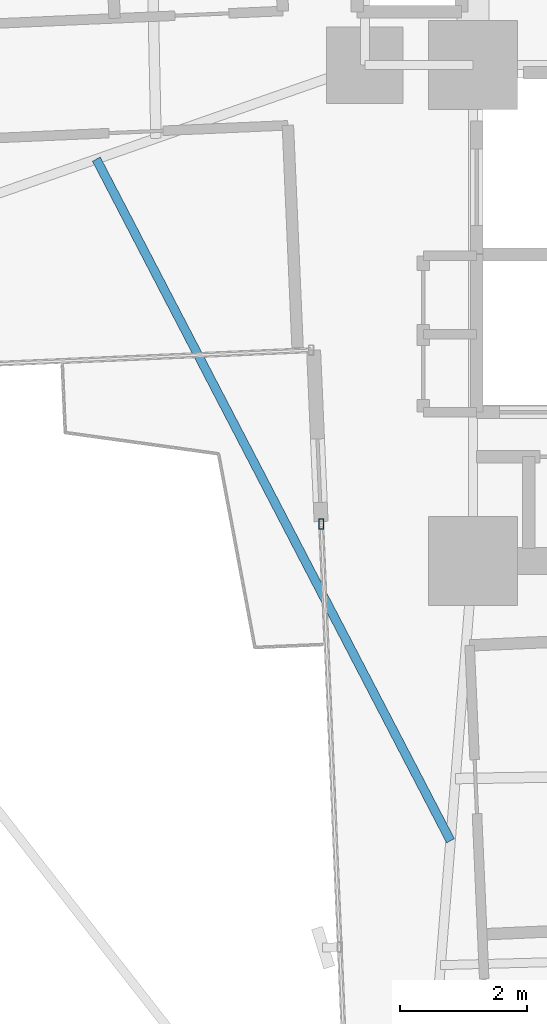
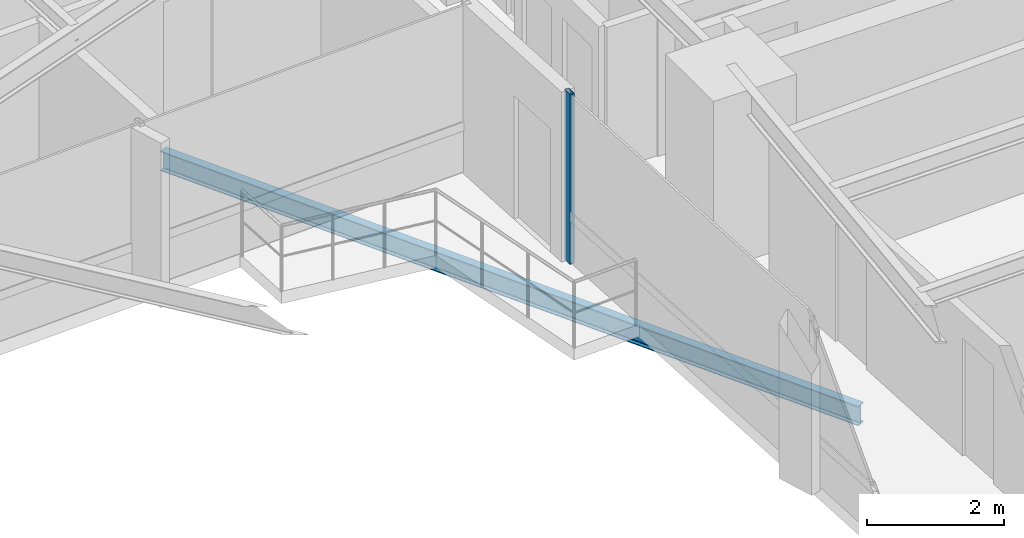
# One storey, part 5 of 26: 1 beam, 1 member, 1 element without a shape of its own.
"""IFC4 building model written with IfcOpenShell, lengths in metres."""

from ifc_helpers import new_model, si_unit, direction, frame, origin, origin_2d, place, context, subcontext, project, spatial, hollow_rectangle, i_section, extrude, source, transform, mapped, material, material_profile, profile_set, type_object, element, aggregate, save


model = new_model("IFC4")

# Units and contexts
model_context = context("Model", 3, precision=1e-05, world=origin(), true_north=direction((0.0, 1.0)))
body_context = subcontext(model_context, "Body", "Model", "MODEL_VIEW")
ifc_project = project(units=[si_unit("LENGTHUNIT", "METRE"), si_unit("AREAUNIT", "SQUARE_METRE"), si_unit("VOLUMEUNIT", "CUBIC_METRE"), si_unit("PLANEANGLEUNIT", "RADIAN"), si_unit("MASSUNIT", "GRAM", prefix="KILO")], contexts=[model_context])

# Site, building, storey
site_placement = place(None, origin())
site = spatial("IfcSite", under=ifc_project, at=site_placement, CompositionType="ELEMENT")
building_placement = place(site_placement, origin())
building = spatial("IfcBuilding", under=site, at=building_placement, Name="Sahyath Konkavel Grand Hotel", CompositionType="ELEMENT")
storey_placement = place(building_placement, frame((0.0, 0.0, 134.89990234375)))
storey = spatial("IfcBuildingStorey", under=building, at=storey_placement, Name="L37", CompositionType="ELEMENT", Elevation=134.89990234375)

# Curtain wall, member
ifc_material_1 = material(Name="Anodised Bronze Aluminium & Low-E Glazing", Category="aluminium")
curtain_wall_type = type_object("IfcCurtainWallType", Name="CW-ZONE2", PredefinedType="NOTDEFINED", material=ifc_material_1)
curtain_wall_placement = place(storey_placement, origin())
curtain_wall = element("IfcCurtainWall", 1, at=curtain_wall_placement, inside=storey, type_object=curtain_wall_type, Name="L37 Unitised Curtain Wall F24", PredefinedType="NOTDEFINED")
ifc_material_2 = material(Name="Anodised Bronze Aluminium", Category="aluminium")
ifc_material_profile_1 = material_profile(ifc_material_2, hollow_rectangle(XDim=0.080078125, YDim=0.159912109375, WallThickness=0.006103515625, at=origin_2d()), Name="RHS 160x80x6")
ifc_profile_set_1 = profile_set([ifc_material_profile_1], Name="Anodised Bronze Aluminium")
member_type = type_object("IfcMemberType", Name="CW-MUL-160", PredefinedType="MULLION", material=ifc_profile_set_1)
shared_shape_1 = source(origin(), body_context, "Body", "SweptSolid", [
    extrude(hollow_rectangle(XDim=0.080078125, YDim=0.159912109375, WallThickness=0.006103515625, at=origin_2d()), origin(), (0.0, 0.0, 1.0), 3.030029296875),
])
member_placement = place(storey_placement, frame((-6.186279296875, -9.618896484375, 0.0), z_axis=(0.0, 0.0, 1.0), x_axis=(1.0, 0.0, 0.0)))
member = element("IfcMember", 2, at=member_placement, type_object=member_type, Name="L37 Curtain Wall Mullion F24-0", PredefinedType="MULLION", context=body_context, shape_type="MappedRepresentation", body=[
    mapped(shared_shape_1, transform((0.0, 0.0, 0.0), scale=1.0)),
])
aggregate(curtain_wall, [member])

# Beam
ifc_material_3 = material(Name="Steel E350", Category="steel")
ifc_material_profile_2 = material_profile(ifc_material_3, i_section(OverallWidth=0.139892578125, OverallDepth=0.35009765625, WebThickness=0.008056640625, FlangeThickness=0.01416015625, FilletRadius=0.013916015625, at=origin_2d()), Name="ISMB 350")
ifc_profile_set_2 = profile_set([ifc_material_profile_2], Name="Steel E350")
beam_type = type_object("IfcBeamType", Name="BM-BALC-CANT", PredefinedType="BEAM", material=ifc_profile_set_2)
shared_shape_2 = source(origin(), body_context, "Body", "SweptSolid", [
    extrude(i_section(OverallWidth=0.139892578125, OverallDepth=0.35009765625, WebThickness=0.008056640625, FlangeThickness=0.01416015625, FilletRadius=0.013916015625, at=origin_2d()), origin(), (0.0, 0.0, 1.0), 12.085205078125),
])
beam_placement = place(storey_placement, frame((-9.7236328125, -3.87890625, -0.414794921875), z_axis=(0.461082384626, -0.887357331962, 0.0), x_axis=(0.887357331962, 0.461082384626, 0.0)))
element("IfcBeam", 3, at=beam_placement, inside=storey, type_object=beam_type, Name="L37 Balcony Cantilever Support Beam SW", PredefinedType="BEAM", context=body_context, shape_type="MappedRepresentation", body=[
    mapped(shared_shape_2, transform((0.0, 0.0, 0.0), scale=1.0)),
])

save(model, "model.ifc")
